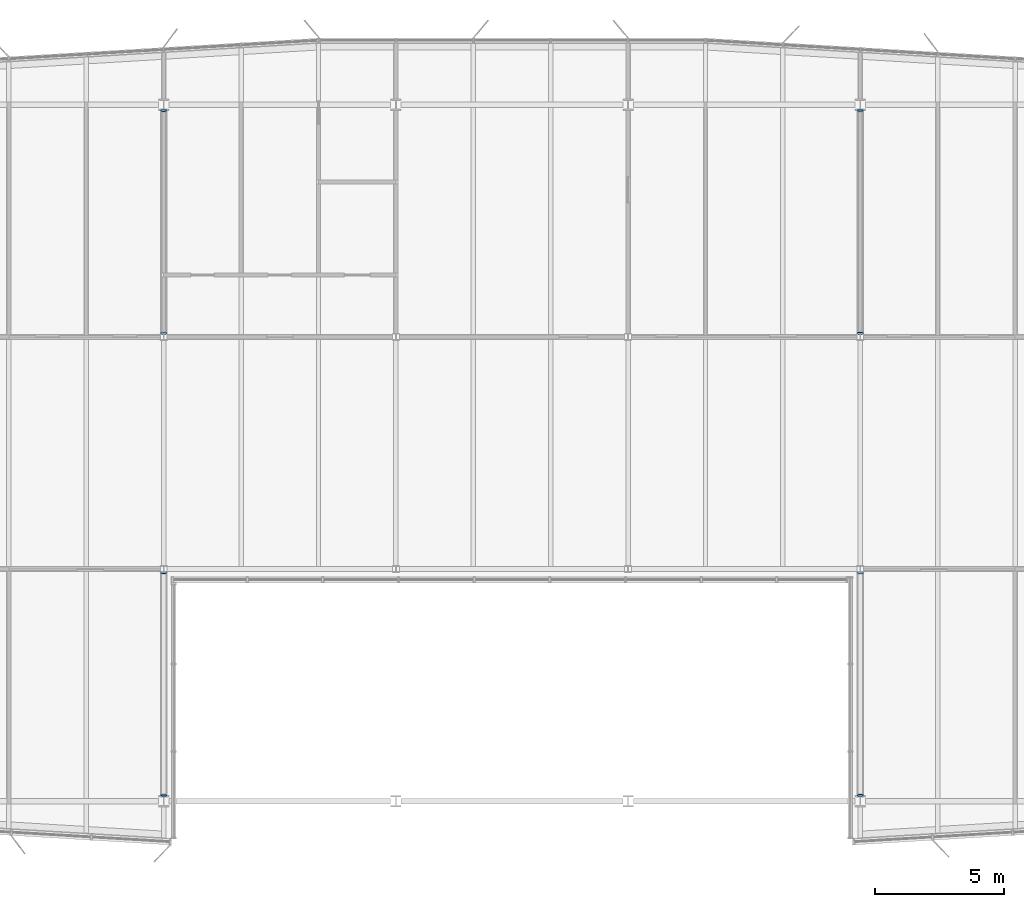
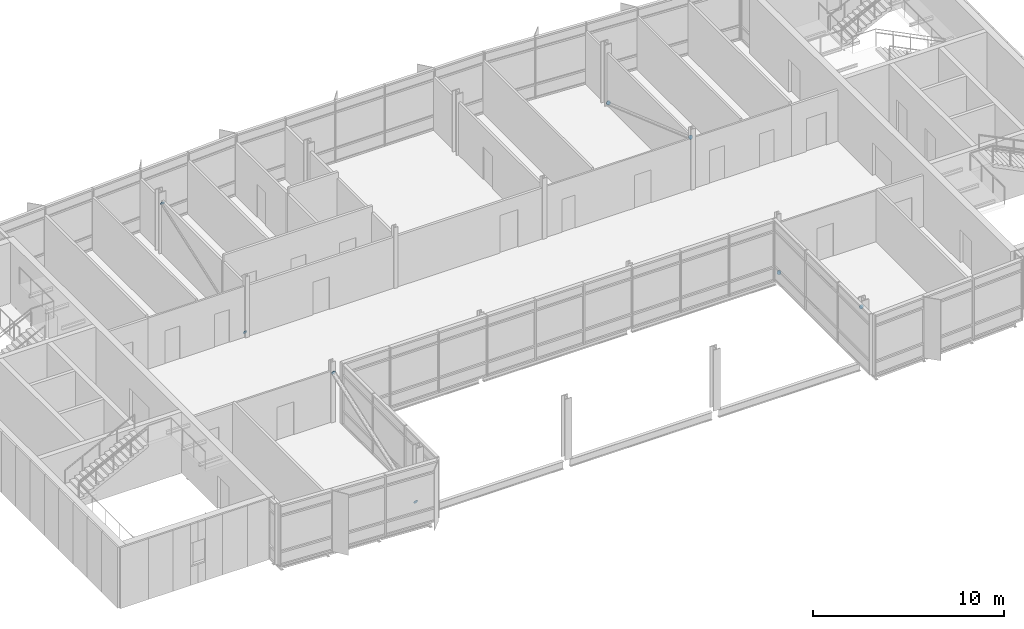
# One storey, part 18 of 20: 8 discrete accessories.
"""IFC4 building model written with IfcOpenShell, lengths in metres."""

from ifc_helpers import new_model, si_unit, direction, frame, origin, origin_2d, place, context, subcontext, project, spatial, circle, extrude, material, material_profile, profile_set, type_object, element, save


model = new_model("IFC4")

# Units and contexts
model_context = context("Model", 3, precision=1e-05, world=origin(), true_north=direction((0.0, 1.0)))
body_context = subcontext(model_context, "Body", "Model", "MODEL_VIEW")
ifc_project = project(units=[si_unit("LENGTHUNIT", "METRE"), si_unit("AREAUNIT", "SQUARE_METRE"), si_unit("VOLUMEUNIT", "CUBIC_METRE"), si_unit("PLANEANGLEUNIT", "RADIAN"), si_unit("MASSUNIT", "GRAM", prefix="KILO")], contexts=[model_context])

# Site, building, storey
site_placement = place(None, origin())
site = spatial("IfcSite", under=ifc_project, at=site_placement, CompositionType="ELEMENT")
building_placement = place(site_placement, origin())
building = spatial("IfcBuilding", under=site, at=building_placement, Name="Azimuth Sports and Learning Centre", CompositionType="ELEMENT")
storey_placement = place(building_placement, frame((0.0, 0.0, 71.39990234375)))
storey = spatial("IfcBuildingStorey", under=building, at=storey_placement, Name="L16", CompositionType="ELEMENT", Elevation=71.39990234375)

# Discrete accessories
ifc_material = material(Name="Steel S355", Category="steel")
ifc_material_profile = material_profile(ifc_material, circle(Radius=0.122314453125, at=origin_2d()), Name="PL 244 DISC")
ifc_profile_set = profile_set([ifc_material_profile], Name="Steel S355")
discrete_accessory_type = type_object("IfcDiscreteAccessoryType", Name="End plate CHS 244.5x12.5", PredefinedType="USERDEFINED", material=ifc_profile_set)
for number, where, z_axis, x_axis, name in (
    (1, (72.0, 90.238037109375, 0.169677734375), (0.0, -0.939793423488, -0.341743063087), (1.0, 0.0, 0.0), "End plate Tower brace 9 L16 lower end"),
    (2, (72.0, 98.849365234375, 3.20068359375), (0.0, 0.943667134088, 0.330896267797), (-1.0, 0.0, 0.0), "End plate Tower brace 9 L16 upper end"),
    (3, (72.0, 108.150634765625, 0.169677734375), (0.0, -0.939793423488, -0.341743063087), (1.0, 0.0, 0.0), "End plate Tower brace 9 L16 lower end"),
    (4, (72.0, 116.761962890625, 3.20068359375), (0.0, 0.943667134088, 0.330896267797), (-1.0, 0.0, 0.0), "End plate Tower brace 9 L16 upper end"),
    (5, (99.0, 98.849365234375, 0.169677734375), (0.0, 0.939793423488, -0.341743063087), (-1.0, 0.0, 0.0), "End plate Tower brace 12 L16 lower end"),
    (6, (99.0, 90.238037109375, 3.20068359375), (0.0, -0.943667134088, 0.330896267797), (1.0, 0.0, 0.0), "End plate Tower brace 12 L16 upper end"),
    (7, (99.0, 116.761962890625, 0.169677734375), (0.0, 0.939793423488, -0.341743063087), (-1.0, 0.0, 0.0), "End plate Tower brace 12 L16 lower end"),
    (8, (99.0, 108.150634765625, 3.20068359375), (0.0, -0.943667134088, 0.330896267797), (1.0, 0.0, 0.0), "End plate Tower brace 12 L16 upper end"),
):
    element("IfcDiscreteAccessory", number, at=place(storey_placement, frame(where, z_axis=z_axis, x_axis=x_axis)), inside=storey, type_object=discrete_accessory_type, Name=name, ObjectType="END PLATE", PredefinedType="USERDEFINED", context=body_context, shape_type="SweptSolid", body=[
        extrude(circle(Radius=0.122314453125, at=origin_2d()), origin(), (0.0, 0.0, 1.0), 0.02001953125),
    ])

save(model, "model.ifc")
